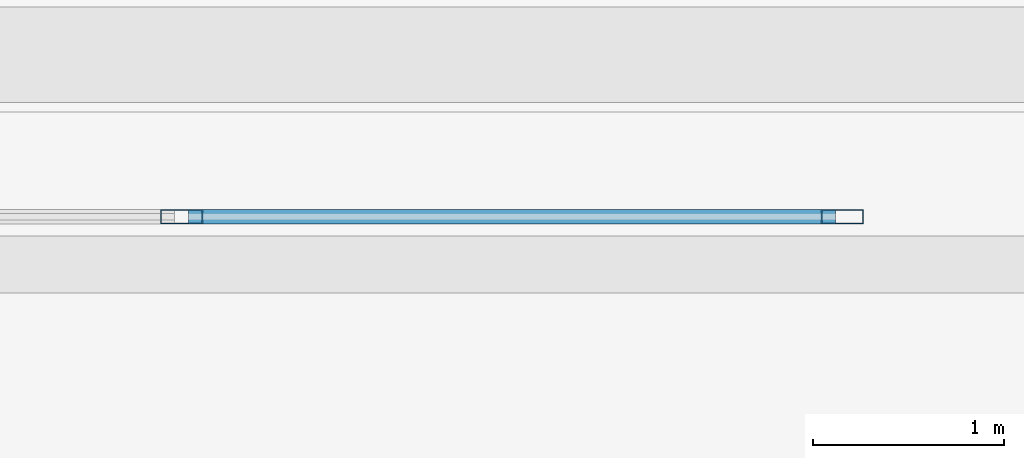
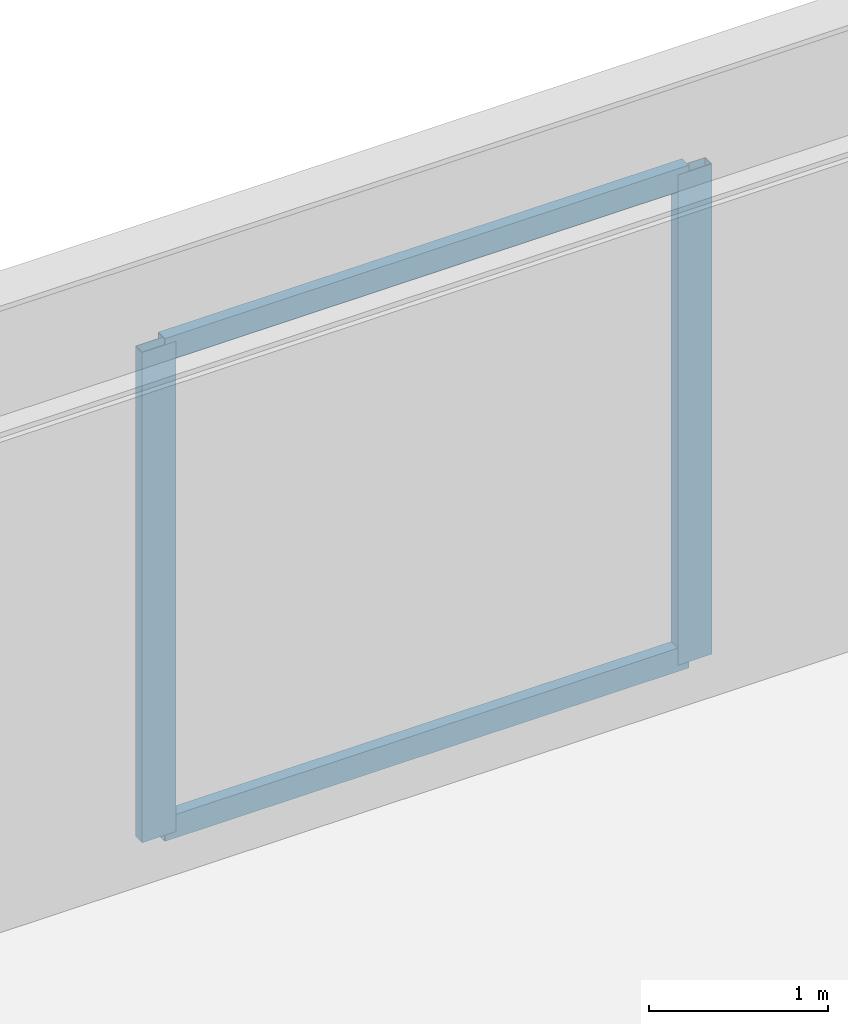
# One storey, part 9 of 23: 4 members, 1 element without a shape of its own.
"""IFC4 building model written with IfcOpenShell, lengths in metres."""

import ifcopenshell
import ifcopenshell.guid

model = None  # the IFC model being written
_history = None  # IfcOwnerHistory: only IFC2X3 demands one
_inside = {}  # id of a spatial element -> (the spatial element, [elements in it])
_under = {}  # id of a project, library or spatial element -> (it, [spatial elements below it])
_declared = {}  # id of a project -> (the project, [libraries it declares])
_typed = {}  # id of a type object -> (the type object, [elements of that type])
_made_of = {}  # id of a material, layer set ... -> (it, [elements and type objects made of it])


def new_model(schema):
    """Start an empty IFC model of exactly this schema.

    Asked for "IFC4X3", IfcOpenShell would pick the latest addendum, in which some entities
    have other attributes; the version numbers below select the first issue.
    IFC2X3 requires an IfcOwnerHistory on every rooted entity: one is made here for all.
    """
    global model, _history
    if schema == "IFC4X3":
        model = ifcopenshell.file(schema_version=(4, 3, 0, 0))
    else:
        model = ifcopenshell.file(schema=schema)
    _inside.clear()
    _under.clear()
    _declared.clear()
    _typed.clear()
    _made_of.clear()
    _history = None
    if model.schema == "IFC2X3":
        org = make("IfcOrganization", Name="unknown")
        user = make(
            "IfcPersonAndOrganization",
            ThePerson=make("IfcPerson", FamilyName="unknown"),
            TheOrganization=org,
        )
        app = make(
            "IfcApplication",
            ApplicationDeveloper=org,
            Version="unknown",
            ApplicationFullName="unknown",
            ApplicationIdentifier="unknown",
        )
        _history = make(
            "IfcOwnerHistory",
            OwningUser=user,
            OwningApplication=app,
            ChangeAction="ADDED",
            CreationDate=0,
        )
    return model


def make(cls, **values):
    """One entity of the class cls with the attributes given. An attribute that is None is left unset."""
    return model.create_entity(
        cls, **{name: value for name, value in values.items() if value is not None}
    )


def rooted(cls, **values):
    """An entity with a GlobalId (a new one), such as an element, a storey or a relation."""
    return make(cls, GlobalId=ifcopenshell.guid.new(), OwnerHistory=_history, **values)


def si_unit(unit_type, name, prefix=None):
    """IfcSIUnit, for example si_unit("LENGTHUNIT", "METRE", prefix="MILLI")."""
    return make("IfcSIUnit", UnitType=unit_type, Prefix=prefix, Name=name)


def assignment(units):
    """IfcUnitAssignment: the units of a project."""
    return None if units is None else make("IfcUnitAssignment", Units=units)


def point(xyz):
    """IfcCartesianPoint."""
    return None if xyz is None else make("IfcCartesianPoint", Coordinates=xyz)


def direction(xyz):
    """IfcDirection."""
    return None if xyz is None else make("IfcDirection", DirectionRatios=xyz)


def frame(location, z_axis=None, x_axis=None):
    """IfcAxis2Placement3D, a coordinate frame: its origin and axes. An axis left out is left unset."""
    return make(
        "IfcAxis2Placement3D",
        Location=point(location),
        Axis=direction(z_axis),
        RefDirection=direction(x_axis),
    )


def frame_2d(location, x_axis=None):
    """IfcAxis2Placement2D, a coordinate frame in the plane: its origin and x axis."""
    return make(
        "IfcAxis2Placement2D", Location=point(location), RefDirection=direction(x_axis)
    )


def origin():
    """The frame at (0, 0, 0) with its axes left unset."""
    return frame((0.0, 0.0, 0.0))


def origin_2d():
    """The frame at (0, 0) in the plane with its x axis left unset."""
    return frame_2d((0.0, 0.0))


def place(relative_to, where):
    """IfcLocalPlacement: puts the frame where relative to a parent placement (None: the world)."""
    return make(
        "IfcLocalPlacement", PlacementRelTo=relative_to, RelativePlacement=where
    )


def context(
    kind, dimensions, precision=None, world=None, true_north=None, identifier=None
):
    """IfcGeometricRepresentationContext, for example the 3D "Model" context."""
    return make(
        "IfcGeometricRepresentationContext",
        ContextIdentifier=identifier,
        ContextType=kind,
        CoordinateSpaceDimension=dimensions,
        Precision=precision,
        WorldCoordinateSystem=world,
        TrueNorth=true_north,
    )


def subcontext(parent, identifier, kind, view, scale=None):
    """IfcGeometricRepresentationSubContext, for example "Body" below "Model"."""
    return make(
        "IfcGeometricRepresentationSubContext",
        ContextIdentifier=identifier,
        ContextType=kind,
        ParentContext=parent,
        TargetScale=scale,
        TargetView=view,
    )


def project(units=None, contexts=None):
    """IfcProject with its units and contexts."""
    return rooted(
        "IfcProject",
        Name="project",
        RepresentationContexts=contexts,
        UnitsInContext=assignment(units),
    )


def spatial(cls, under=None, at=None, **own):
    """A site, building, storey or space (cls), placed at a placement, below another one or the project."""
    s = rooted(cls, ObjectPlacement=at, **own)
    if under is not None:
        _under.setdefault(under.id(), (under, []))[1].append(s)
    return s


def profile(cls, at=None, kind="AREA", **sizes):
    """A parametric profile (cls). Its sizes go by their IFC names, for example OverallWidth=200.0."""
    return make(cls, ProfileType=kind, Position=at, **sizes)


def hollow_rectangle(**sizes):
    """IfcRectangleHollowProfileDef."""
    return profile("IfcRectangleHollowProfileDef", **sizes)


def extrude(swept, where, along, depth):
    """IfcExtrudedAreaSolid: the profile swept, set in the frame where, extruded along a direction by depth."""
    return make(
        "IfcExtrudedAreaSolid",
        SweptArea=swept,
        Position=where,
        ExtrudedDirection=direction(along),
        Depth=depth,
    )


def shape(context_of_items, identifier, shape_type, items):
    """IfcShapeRepresentation: the items that make up one representation, for example the "Body"."""
    return make(
        "IfcShapeRepresentation",
        ContextOfItems=context_of_items,
        RepresentationIdentifier=identifier,
        RepresentationType=shape_type,
        Items=items,
    )


def material(Name=None, Category=None):
    """IfcMaterial."""
    return make("IfcMaterial", Name=Name, Category=Category)


def layer(
    of_material, thickness, ventilated=None, Name=None, Category=None, Priority=None
):
    """IfcMaterialLayer: one layer of a wall or slab, of a material (None: an air gap)."""
    return make(
        "IfcMaterialLayer",
        Material=of_material,
        LayerThickness=thickness,
        IsVentilated=ventilated,
        Name=Name,
        Category=Category,
        Priority=Priority,
    )


def layer_set(layers, Name=None):
    """IfcMaterialLayerSet."""
    return make("IfcMaterialLayerSet", MaterialLayers=layers, LayerSetName=Name)


def material_profile(
    of_material, cross_section, Name=None, Category=None, Priority=None
):
    """IfcMaterialProfile: a cross section and its material."""
    return make(
        "IfcMaterialProfile",
        Name=Name,
        Material=of_material,
        Profile=cross_section,
        Priority=Priority,
        Category=Category,
    )


def profile_set(profiles, Name=None, composite=None):
    """IfcMaterialProfileSet."""
    return make(
        "IfcMaterialProfileSet",
        Name=Name,
        MaterialProfiles=profiles,
        CompositeProfile=composite,
    )


def made_of(thing, what):
    """Note that an element or type object is made of a material, layer set ...; save() writes the relation."""
    if what is not None:
        _made_of.setdefault(what.id(), (what, []))[1].append(thing)
    return thing


def type_object(cls, material=None, **own):
    """A type object (cls), such as IfcWallType, which elements share."""
    return made_of(rooted(cls, **own), material)


def element(
    cls,
    number,
    at=None,
    inside=None,
    cuts=None,
    type_object=None,
    material=None,
    context=None,
    identifier="Body",
    shape_type=None,
    held_by="IfcProductDefinitionShape",
    body=None,
    shapes=None,
    **own,
):
    """One element of the class cls, such as IfcWall. Its Tag is "e" and its number.

    at: its placement. inside: the storey or other place that contains it. cuts: it is an
    opening in that element (IfcRelVoidsElement). A single representation is given by context,
    identifier, shape_type and body (its items); several are given by shapes. held_by: the class
    of the entity that holds the representations. save() writes the other relations.
    """
    e = rooted(cls, Tag="e%d" % number, ObjectPlacement=at, **own)
    if body is not None:
        shapes = [shape(context, identifier, shape_type, body)]
    if shapes is not None:
        e.Representation = make(held_by, Representations=shapes)
    if inside is not None:
        _inside.setdefault(inside.id(), (inside, []))[1].append(e)
    if cuts is not None:
        rooted(
            "IfcRelVoidsElement", RelatingBuildingElement=cuts, RelatedOpeningElement=e
        )
    if type_object is not None:
        _typed.setdefault(type_object.id(), (type_object, []))[1].append(e)
    return made_of(e, material)


def aggregate(whole, parts):
    """IfcRelAggregates: a whole, such as a stair, and the parts it consists of."""
    return rooted("IfcRelAggregates", RelatingObject=whole, RelatedObjects=parts)


def save(model, path):
    """Write the relations noted so far, then the file.

    IfcRelAggregates (storeys below a building ...), IfcRelContainedInSpatialStructure (elements
    in a storey), IfcRelDefinesByType, IfcRelAssociatesMaterial and IfcRelDeclares: one each for
    every whole, place, type object, material and project.
    """
    for whole, parts in _under.values():
        aggregate(whole, parts)
    for where, things in _inside.values():
        rooted(
            "IfcRelContainedInSpatialStructure",
            RelatedElements=things,
            RelatingStructure=where,
        )
    for kind, things in _typed.values():
        rooted("IfcRelDefinesByType", RelatedObjects=things, RelatingType=kind)
    for what, things in _made_of.values():
        rooted("IfcRelAssociatesMaterial", RelatedObjects=things, RelatingMaterial=what)
    for by, libraries in _declared.values():
        rooted("IfcRelDeclares", RelatingContext=by, RelatedDefinitions=libraries)
    model.write(path)


model = new_model("IFC4")

# Units and contexts
model_context = context("Model", 3, precision=1e-05, world=origin(), true_north=direction((0.0, 1.0)))
body_context = subcontext(model_context, "Body", "Model", "MODEL_VIEW")
ifc_project = project(units=[si_unit("LENGTHUNIT", "METRE"), si_unit("AREAUNIT", "SQUARE_METRE"), si_unit("VOLUMEUNIT", "CUBIC_METRE"), si_unit("PLANEANGLEUNIT", "RADIAN"), si_unit("MASSUNIT", "GRAM", prefix="KILO")], contexts=[model_context])

# Site, building, storey
site_placement = place(None, origin())
site = spatial("IfcSite", under=ifc_project, at=site_placement, CompositionType="ELEMENT")
building_placement = place(site_placement, origin())
building = spatial("IfcBuilding", under=site, at=building_placement, Name="Varnakorn Sky Granary", CompositionType="ELEMENT")
storey_placement = place(building_placement, origin())
storey = spatial("IfcBuildingStorey", under=building, at=storey_placement, Name="L00", CompositionType="ELEMENT", Elevation=0.0)

# Curtain wall, members
ifc_material = material(Name="Anodised Bronze Aluminium Alloy 6063-T6", Category="aluminium")
ifc_layer = layer(ifc_material, 0.219970703125, Name="Anodised Bronze Aluminium Alloy 6063-T6")
ifc_layer_set = layer_set([ifc_layer], Name="Anodised Bronze Aluminium Alloy 6063-T6")
curtain_wall_type = type_object("IfcCurtainWallType", Name="CW-POD-1", PredefinedType="USERDEFINED", material=ifc_layer_set)
curtain_wall_placement = place(storey_placement, origin())
curtain_wall = element("IfcCurtainWall", 1, at=curtain_wall_placement, inside=storey, type_object=curtain_wall_type, Name="Unitised Curtain Wall CW1 CW-L00-P1", ObjectType="CURTAIN WALL", PredefinedType="USERDEFINED")
ifc_material_profile_1 = material_profile(ifc_material, hollow_rectangle(XDim=0.074951171875, YDim=0.219970703125, WallThickness=0.00390625, at=origin_2d()), Name="ALU MULL 75x220")
ifc_profile_set_1 = profile_set([ifc_material_profile_1], Name="Anodised Bronze Aluminium Alloy 6063-T6")
member_type_1 = type_object("IfcMemberType", Name="CW-POD-1-MULL", PredefinedType="MULLION", material=ifc_profile_set_1)
member_1_placement = place(storey_placement, frame((-8.89990234375, 23.449951171875, 0.0), z_axis=(0.0, 0.0, 1.0), x_axis=(0.0, 1.0, 0.0)))
member_1 = element("IfcMember", 2, at=member_1_placement, type_object=member_type_1, Name="CW1 mullion 2", PredefinedType="MULLION", context=body_context, shape_type="SweptSolid", body=[
    extrude(hollow_rectangle(XDim=0.074951171875, YDim=0.219970703125, WallThickness=0.00390625, at=origin_2d()), origin(), (0.0, 0.0, 1.0), 3.35009765625),
])
member_2_placement = place(storey_placement, frame((-5.4375, 23.449951171875, 0.0), z_axis=(0.0, 0.0, 1.0), x_axis=(0.0, 1.0, 0.0)))
member_2 = element("IfcMember", 3, at=member_2_placement, type_object=member_type_1, Name="CW1 mullion 3", PredefinedType="MULLION", context=body_context, shape_type="SweptSolid", body=[
    extrude(hollow_rectangle(XDim=0.074951171875, YDim=0.219970703125, WallThickness=0.00390625, at=origin_2d()), origin(), (0.0, 0.0, 1.0), 3.35009765625),
])
ifc_material_profile_2 = material_profile(ifc_material, hollow_rectangle(XDim=0.074951171875, YDim=0.159912109375, WallThickness=0.00390625, at=origin_2d()), Name="ALU TRAN 75x160")
ifc_profile_set_2 = profile_set([ifc_material_profile_2], Name="Anodised Bronze Aluminium Alloy 6063-T6")
member_type_2 = type_object("IfcMemberType", Name="CW-POD-1-TRAN", PredefinedType="USERDEFINED", material=ifc_profile_set_2)
member_3_placement = place(storey_placement, frame((-8.862548828125, 23.449951171875, 0.03759765625), z_axis=(1.0, 0.0, 0.0), x_axis=(0.0, 1.0, 0.0)))
member_3 = element("IfcMember", 4, at=member_3_placement, type_object=member_type_2, Name="CW1 transom 2.1", ObjectType="TRANSOM", PredefinedType="USERDEFINED", context=body_context, shape_type="SweptSolid", body=[
    extrude(hollow_rectangle(XDim=0.074951171875, YDim=0.159912109375, WallThickness=0.00390625, at=origin_2d()), origin(), (0.0, 0.0, 1.0), 3.387451171875),
])
member_4_placement = place(storey_placement, frame((-8.862548828125, 23.449951171875, 3.3125), z_axis=(1.0, 0.0, 0.0), x_axis=(0.0, 1.0, 0.0)))
member_4 = element("IfcMember", 5, at=member_4_placement, type_object=member_type_2, Name="CW1 transom 2.2", ObjectType="TRANSOM", PredefinedType="USERDEFINED", context=body_context, shape_type="SweptSolid", body=[
    extrude(hollow_rectangle(XDim=0.074951171875, YDim=0.159912109375, WallThickness=0.00390625, at=origin_2d()), origin(), (0.0, 0.0, 1.0), 3.387451171875),
])
aggregate(curtain_wall, [member_1, member_2, member_3, member_4])

save(model, "model.ifc")
